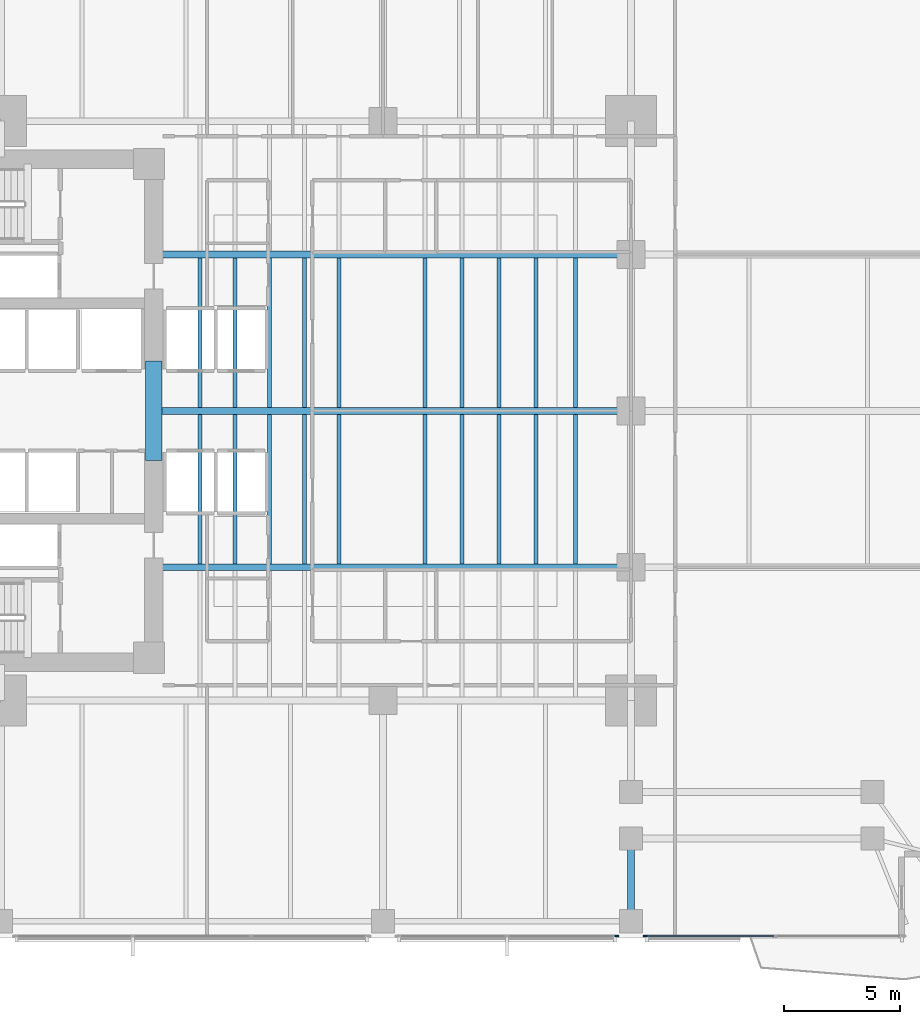
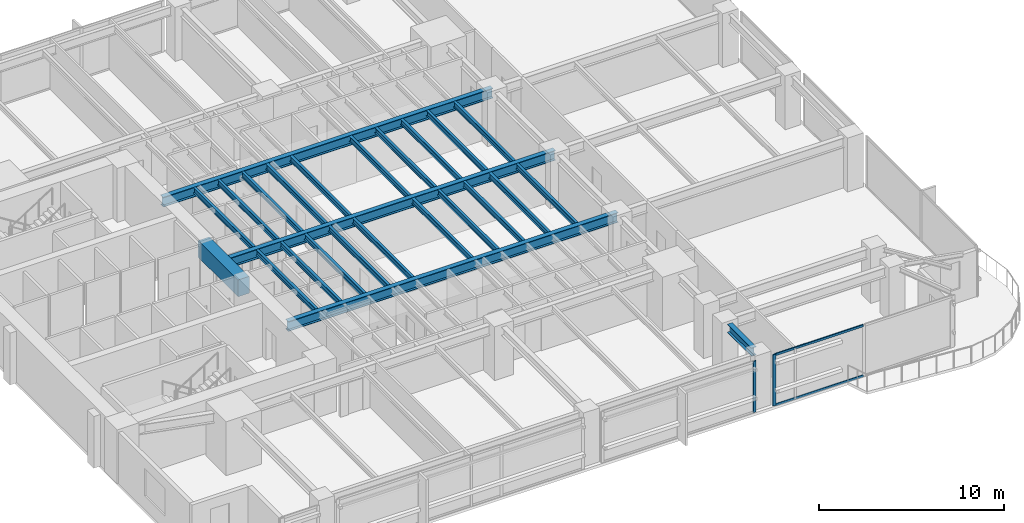
# One storey, part 3 of 15: 25 beams, 4 members, 2 elements without a shape of their own.
"""IFC4 building model written with IfcOpenShell, lengths in metres."""

from ifc_helpers import new_model, si_unit, direction, frame, origin, origin_2d, place, context, subcontext, project, spatial, rectangle, i_section, extrude, material, layer, layer_set, material_profile, profile_set, type_object, element, aggregate, save


model = new_model("IFC4")

# Units and contexts
model_context = context("Model", 3, precision=1e-05, world=origin(), true_north=direction((0.0, 1.0)))
body_context = subcontext(model_context, "Body", "Model", "MODEL_VIEW")
ifc_project = project(units=[si_unit("LENGTHUNIT", "METRE"), si_unit("AREAUNIT", "SQUARE_METRE"), si_unit("VOLUMEUNIT", "CUBIC_METRE"), si_unit("PLANEANGLEUNIT", "RADIAN"), si_unit("MASSUNIT", "GRAM", prefix="KILO")], contexts=[model_context])

# Site, building, storey
site_placement = place(None, origin())
site = spatial("IfcSite", under=ifc_project, at=site_placement, CompositionType="ELEMENT")
building_placement = place(site_placement, origin())
building = spatial("IfcBuilding", under=site, at=building_placement, Name="Kinhvarn Gate Tower", CompositionType="ELEMENT")
storey_placement = place(building_placement, frame((0.0, 0.0, 50.449951171875)))
storey = spatial("IfcBuildingStorey", under=building, at=storey_placement, Name="L12", CompositionType="ELEMENT", Elevation=50.449951171875)

# Beam
ifc_material_1 = material(Name="Concrete C70/85", Category="concrete")
ifc_material_profile_1 = material_profile(ifc_material_1, rectangle(XDim=0.699951171875, YDim=1.10009765625, at=origin_2d()), Name="RC 700x1100")
ifc_profile_set_1 = profile_set([ifc_material_profile_1], Name="Concrete C70/85")
beam_type_1 = type_object("IfcBeamType", Name="BM-CB-1100", PredefinedType="LINTEL", material=ifc_profile_set_1)
beam_1_placement = place(storey_placement, frame((17.60009765625, 23.10009765625, 2.820068359375), z_axis=(0.0, 1.0, 0.0), x_axis=(-1.0, 0.0, 0.0)))
element("IfcBeam", 1, at=beam_1_placement, inside=storey, type_object=beam_type_1, Name="Core East Portal Coupling Beam L12", PredefinedType="LINTEL", context=body_context, shape_type="SweptSolid", body=[
    extrude(rectangle(XDim=0.699951171875, YDim=1.10009765625, at=origin_2d()), origin(), (0.0, 0.0, 1.0), 4.2998046875),
])

# Curtain wall, member
ifc_material_2 = material(Name="Anodised aluminium AW-6063", Category="aluminium")
ifc_layer = layer(ifc_material_2, 0.179931640625)
ifc_layer_set = layer_set([ifc_layer], Name="Anodised aluminium AW-6063")
curtain_wall_type = type_object("IfcCurtainWallType", Name="CW-SYS-2", PredefinedType="NOTDEFINED", material=ifc_layer_set)
curtain_wall_1_placement = place(storey_placement, origin())
curtain_wall_1 = element("IfcCurtainWall", 2, at=curtain_wall_1_placement, inside=storey, type_object=curtain_wall_type, Name="Curtain Wall CW2 (L12)", PredefinedType="NOTDEFINED")
ifc_material_profile_2 = material_profile(ifc_material_2, rectangle(XDim=0.070068359375, YDim=0.179931640625, at=origin_2d()), Name="ALU 70x180")
ifc_profile_set_2 = profile_set([ifc_material_profile_2], Name="Anodised aluminium AW-6063")
member_type_1 = type_object("IfcMemberType", Name="CW-MUL-180", PredefinedType="MULLION", material=ifc_profile_set_2)
member_1_placement = place(storey_placement, frame((37.5849609375, 2.590087890625, 0.0), z_axis=(0.0, 0.0, 1.0), x_axis=(0.0, 1.0, 0.0)))
member_1 = element("IfcMember", 3, at=member_1_placement, type_object=member_type_1, Name="CW2 mullion 3", PredefinedType="MULLION", context=body_context, shape_type="SweptSolid", body=[
    extrude(rectangle(XDim=0.070068359375, YDim=0.179931640625, at=origin_2d()), origin(), (0.0, 0.0, 1.0), 3.3701171875),
])
aggregate(curtain_wall_1, [member_1])

# Curtain wall, members
curtain_wall_2_placement = place(storey_placement, origin())
curtain_wall_2 = element("IfcCurtainWall", 4, at=curtain_wall_2_placement, inside=storey, type_object=curtain_wall_type, Name="Curtain Wall CW2 (L12)", PredefinedType="NOTDEFINED")
member_2_placement = place(storey_placement, frame((38.81494140625, 2.590087890625, 0.0), z_axis=(0.0, 0.0, 1.0), x_axis=(0.0, 1.0, 0.0)))
member_2 = element("IfcMember", 5, at=member_2_placement, type_object=member_type_1, Name="CW2 mullion 1", PredefinedType="MULLION", context=body_context, shape_type="SweptSolid", body=[
    extrude(rectangle(XDim=0.070068359375, YDim=0.179931640625, at=origin_2d()), origin(), (0.0, 0.0, 1.0), 3.3701171875),
])
ifc_material_profile_3 = material_profile(ifc_material_2, rectangle(XDim=0.070068359375, YDim=0.139892578125, at=origin_2d()), Name="ALU 70x140")
ifc_profile_set_3 = profile_set([ifc_material_profile_3], Name="Anodised aluminium AW-6063")
member_type_2 = type_object("IfcMemberType", Name="CW-TRN-140", PredefinedType="USERDEFINED", material=ifc_profile_set_3)
member_3_placement = place(storey_placement, frame((38.85009765625, 2.590087890625, 0.03515625), z_axis=(1.0, 0.0, 0.0), x_axis=(0.0, 1.0, 0.0)))
member_3 = element("IfcMember", 6, at=member_3_placement, type_object=member_type_2, Name="CW2 transom 1.1", ObjectType="TRANSOM", PredefinedType="USERDEFINED", context=body_context, shape_type="SweptSolid", body=[
    extrude(rectangle(XDim=0.070068359375, YDim=0.139892578125, at=origin_2d()), origin(), (0.0, 0.0, 1.0), 5.5048828125),
])
member_4_placement = place(storey_placement, frame((38.85009765625, 2.590087890625, 3.3349609375), z_axis=(1.0, 0.0, 0.0), x_axis=(0.0, 1.0, 0.0)))
member_4 = element("IfcMember", 7, at=member_4_placement, type_object=member_type_2, Name="CW2 transom 1.2", ObjectType="TRANSOM", PredefinedType="USERDEFINED", context=body_context, shape_type="SweptSolid", body=[
    extrude(rectangle(XDim=0.070068359375, YDim=0.139892578125, at=origin_2d()), origin(), (0.0, 0.0, 1.0), 5.5048828125),
])
aggregate(curtain_wall_2, [member_2, member_3, member_4])

# Beams
ifc_material_3 = material(Name="Steel S355", Category="steel")
ifc_material_profile_4 = material_profile(ifc_material_3, i_section(OverallWidth=0.300048828125, OverallDepth=0.550048828125, WebThickness=0.014892578125, FlangeThickness=0.029052734375, at=origin_2d()), Name="HEB 550")
ifc_profile_set_4 = profile_set([ifc_material_profile_4], Name="Steel S355")
beam_type_2 = type_object("IfcBeamType", Name="STL-HEB550", PredefinedType="BEAM", material=ifc_profile_set_4)
beam_2_placement = place(storey_placement, frame((38.199951171875, 3.705078125, 3.094970703125), z_axis=(0.0, 1.0, 0.0), x_axis=(-1.0, 0.0, 0.0)))
element("IfcBeam", 8, at=beam_2_placement, inside=storey, type_object=beam_type_2, Name="Floor Beam PG-15 (L12 MCE-S-A0)", PredefinedType="BEAM", context=body_context, shape_type="SweptSolid", body=[
    extrude(i_section(OverallWidth=0.300048828125, OverallDepth=0.550048828125, WebThickness=0.014892578125, FlangeThickness=0.029052734375, at=origin_2d()), origin(), (0.0, 0.0, 1.0), 2.60986328125),
])
ifc_material_profile_5 = material_profile(ifc_material_3, i_section(OverallWidth=0.300048828125, OverallDepth=0.64990234375, WebThickness=0.01611328125, FlangeThickness=0.031005859375, at=origin_2d()), Name="HEB 650")
ifc_profile_set_5 = profile_set([ifc_material_profile_5], Name="Steel S355")
beam_type_3 = type_object("IfcBeamType", Name="STL-HEB650", PredefinedType="BEAM", material=ifc_profile_set_5)
beam_3_placement = place(storey_placement, frame((17.64990234375, 18.5, 3.045166015625), z_axis=(1.0, 0.0, 0.0), x_axis=(0.0, 1.0, 0.0)))
element("IfcBeam", 9, at=beam_3_placement, inside=storey, type_object=beam_type_3, Name="Floor Beam PG-17 (L12 EW1-Y18)", PredefinedType="BEAM", context=body_context, shape_type="SweptSolid", body=[
    extrude(i_section(OverallWidth=0.300048828125, OverallDepth=0.64990234375, WebThickness=0.01611328125, FlangeThickness=0.031005859375, at=origin_2d()), origin(), (0.0, 0.0, 1.0), 20.550048828125),
])
beam_4_placement = place(storey_placement, frame((17.949951171875, 25.25, 3.045166015625), z_axis=(1.0, 0.0, 0.0), x_axis=(0.0, 1.0, 0.0)))
element("IfcBeam", 10, at=beam_4_placement, inside=storey, type_object=beam_type_3, Name="Floor Beam PG-17 (L12 EW1-Y25)", PredefinedType="BEAM", context=body_context, shape_type="SweptSolid", body=[
    extrude(i_section(OverallWidth=0.300048828125, OverallDepth=0.64990234375, WebThickness=0.01611328125, FlangeThickness=0.031005859375, at=origin_2d()), origin(), (0.0, 0.0, 1.0), 20.25),
])
beam_5_placement = place(storey_placement, frame((17.64990234375, 32.0, 3.045166015625), z_axis=(1.0, 0.0, 0.0), x_axis=(0.0, 1.0, 0.0)))
element("IfcBeam", 11, at=beam_5_placement, inside=storey, type_object=beam_type_3, Name="Floor Beam PG-17 (L12 EW1-Y32)", PredefinedType="BEAM", context=body_context, shape_type="SweptSolid", body=[
    extrude(i_section(OverallWidth=0.300048828125, OverallDepth=0.64990234375, WebThickness=0.01611328125, FlangeThickness=0.031005859375, at=origin_2d()), origin(), (0.0, 0.0, 1.0), 20.550048828125),
])
ifc_material_profile_6 = material_profile(ifc_material_3, i_section(OverallWidth=0.169921875, OverallDepth=0.360107421875, WebThickness=0.008056640625, FlangeThickness=0.0126953125, at=origin_2d()), Name="IPE 360")
ifc_profile_set_6 = profile_set([ifc_material_profile_6], Name="Steel S355")
beam_type_4 = type_object("IfcBeamType", Name="STL-IPE360", PredefinedType="JOIST", material=ifc_profile_set_6)
for number, where, z_axis, x_axis, name in (
    (12, (19.60009765625, 18.64990234375, 3.18994140625), (0.0, 1.0, 0.0), (-1.0, 0.0, 0.0), "Floor Joist SB-04 (L12 JC-X196-1)"),
    (13, (19.60009765625, 25.39990234375, 3.18994140625), (0.0, 1.0, 0.0), (-1.0, 0.0, 0.0), "Floor Joist SB-04 (L12 JC-X196-2)"),
    (14, (21.10009765625, 18.64990234375, 3.18994140625), (0.0, 1.0, 0.0), (-1.0, 0.0, 0.0), "Floor Joist SB-04 (L12 JC-X211-1)"),
    (15, (21.10009765625, 25.39990234375, 3.18994140625), (0.0, 1.0, 0.0), (-1.0, 0.0, 0.0), "Floor Joist SB-04 (L12 JC-X211-2)"),
    (16, (22.60009765625, 18.64990234375, 3.18994140625), (0.0, 1.0, 0.0), (-1.0, 0.0, 0.0), "Floor Joist SB-04 (L12 JC-X226-1)"),
    (17, (22.60009765625, 25.39990234375, 3.18994140625), (0.0, 1.0, 0.0), (-1.0, 0.0, 0.0), "Floor Joist SB-04 (L12 JC-X226-2)"),
    (18, (24.10009765625, 18.64990234375, 3.18994140625), (0.0, 1.0, 0.0), (-1.0, 0.0, 0.0), "Floor Joist SB-04 (L12 JC-X241-1)"),
    (19, (24.10009765625, 25.39990234375, 3.18994140625), (0.0, 1.0, 0.0), (-1.0, 0.0, 0.0), "Floor Joist SB-04 (L12 JC-X241-2)"),
    (20, (25.60009765625, 18.64990234375, 3.18994140625), (0.0, 1.0, 0.0), (-1.0, 0.0, 0.0), "Floor Joist SB-04 (L12 JC-X256-1)"),
    (21, (25.60009765625, 25.39990234375, 3.18994140625), (0.0, 1.0, 0.0), (-1.0, 0.0, 0.0), "Floor Joist SB-04 (L12 JC-X256-2)"),
    (22, (29.300048828125, 18.64990234375, 3.18994140625), (0.0, 1.0, 0.0), (-1.0, 0.0, 0.0), "Floor Joist SB-04 (L12 JC-X293-1)"),
    (23, (29.300048828125, 25.39990234375, 3.18994140625), (0.0, 1.0, 0.0), (-1.0, 0.0, 0.0), "Floor Joist SB-04 (L12 JC-X293-2)"),
    (24, (30.89990234375, 18.64990234375, 3.18994140625), (0.0, 1.0, 0.0), (-1.0, 0.0, 0.0), "Floor Joist SB-04 (L12 JC-X309-1)"),
    (25, (30.89990234375, 25.39990234375, 3.18994140625), (0.0, 1.0, 0.0), (-1.0, 0.0, 0.0), "Floor Joist SB-04 (L12 JC-X309-2)"),
    (26, (32.5, 18.64990234375, 3.18994140625), (0.0, 1.0, 0.0), (-1.0, 0.0, 0.0), "Floor Joist SB-04 (L12 JC-X325-1)"),
    (27, (32.5, 25.39990234375, 3.18994140625), (0.0, 1.0, 0.0), (-1.0, 0.0, 0.0), "Floor Joist SB-04 (L12 JC-X325-2)"),
    (28, (34.10009765625, 18.64990234375, 3.18994140625), (0.0, 1.0, 0.0), (-1.0, 0.0, 0.0), "Floor Joist SB-04 (L12 JC-X341-1)"),
    (29, (34.10009765625, 25.39990234375, 3.18994140625), (0.0, 1.0, 0.0), (-1.0, 0.0, 0.0), "Floor Joist SB-04 (L12 JC-X341-2)"),
    (30, (35.800048828125, 18.64990234375, 3.18994140625), (0.0, 1.0, 0.0), (-1.0, 0.0, 0.0), "Floor Joist SB-04 (L12 JC-X358-1)"),
    (31, (35.800048828125, 25.39990234375, 3.18994140625), (0.0, 1.0, 0.0), (-1.0, 0.0, 0.0), "Floor Joist SB-04 (L12 JC-X358-2)"),
):
    element("IfcBeam", number, at=place(storey_placement, frame(where, z_axis=z_axis, x_axis=x_axis)), inside=storey, type_object=beam_type_4, Name=name, PredefinedType="JOIST", context=body_context, shape_type="SweptSolid", body=[
        extrude(i_section(OverallWidth=0.169921875, OverallDepth=0.360107421875, WebThickness=0.008056640625, FlangeThickness=0.0126953125, at=origin_2d()), origin(), (0.0, 0.0, 1.0), 6.4501953125),
    ])

save(model, "model.ifc")
